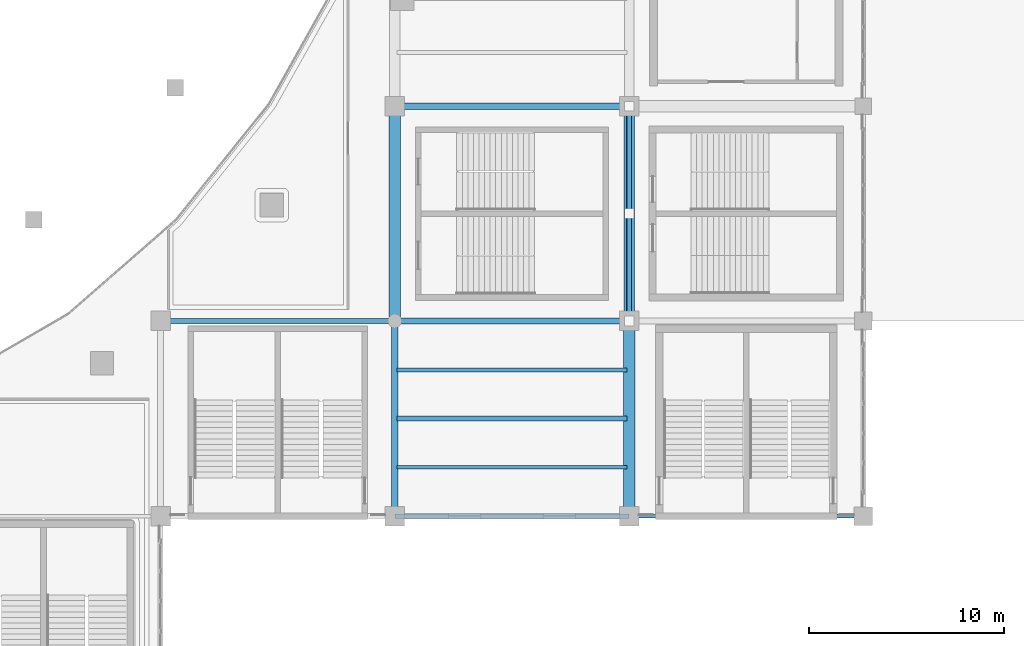
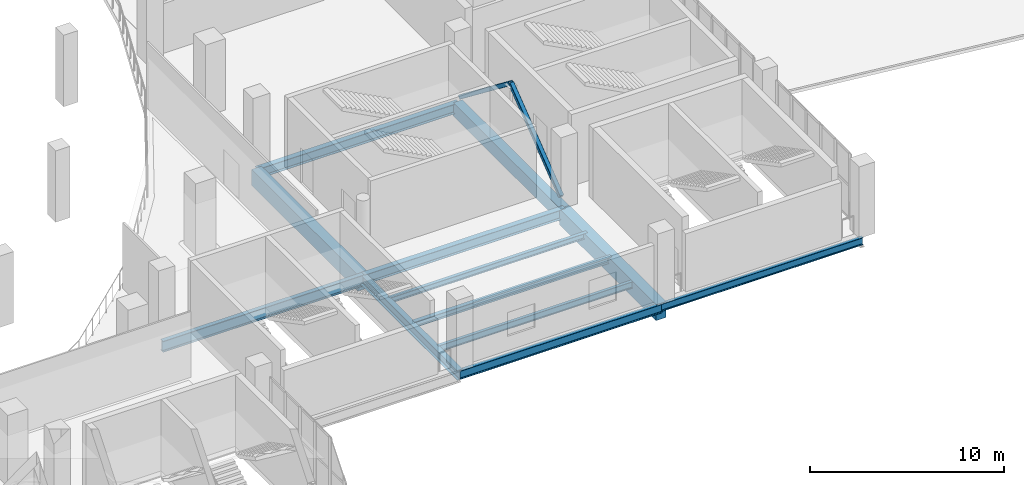
# One storey, part 48 of 108: 12 beams, 2 members.
"""IFC4 building model written with IfcOpenShell, lengths in metres."""

from ifc_helpers import new_model, si_unit, direction, frame, origin, origin_2d, place, context, subcontext, project, spatial, rectangle, hollow_rectangle, i_section, extrude, material, material_profile, profile_set, type_object, element, save


model = new_model("IFC4")

# Units and contexts
model_context = context("Model", 3, precision=1e-05, world=origin(), true_north=direction((0.0, 1.0)))
body_context = subcontext(model_context, "Body", "Model", "MODEL_VIEW")
ifc_project = project(units=[si_unit("LENGTHUNIT", "METRE"), si_unit("AREAUNIT", "SQUARE_METRE"), si_unit("VOLUMEUNIT", "CUBIC_METRE"), si_unit("PLANEANGLEUNIT", "RADIAN"), si_unit("MASSUNIT", "GRAM", prefix="KILO")], contexts=[model_context])

# Site, building, storey
site_placement = place(None, origin())
site = spatial("IfcSite", under=ifc_project, at=site_placement, CompositionType="ELEMENT")
building_placement = place(site_placement, origin())
building = spatial("IfcBuilding", under=site, at=building_placement, Name="Brinegate Civic Arena", CompositionType="ELEMENT")
storey_placement = place(building_placement, frame((0.0, 0.0, 10.199951171875)))
storey = spatial("IfcBuildingStorey", under=building, at=storey_placement, Name="L02", CompositionType="ELEMENT", Elevation=10.199951171875)

# Beams
ifc_material_1 = material(Name="Steel S355", Category="steel")
ifc_material_profile_1 = material_profile(ifc_material_1, i_section(OverallWidth=0.323974609375, OverallDepth=0.611083984375, WebThickness=0.012939453125, FlangeThickness=0.01904296875, FilletRadius=0.01611328125, at=origin_2d()), Name="W610X155")
ifc_profile_set_1 = profile_set([ifc_material_profile_1], Name="Steel S355")
beam_type_1 = type_object("IfcBeamType", Name="GIRDER-W610X155", PredefinedType="BEAM", material=ifc_profile_set_1)
beam_1_placement = place(storey_placement, frame((144.0, 20.0, -0.635009765625), z_axis=(1.0, 0.0, 0.0), x_axis=(0.0, 1.0, 0.0)))
element("IfcBeam", 1, at=beam_1_placement, inside=storey, type_object=beam_type_1, Name="Floor Girder BM-L02-GX-12-02", PredefinedType="BEAM", context=body_context, shape_type="SweptSolid", body=[
    extrude(i_section(OverallWidth=0.323974609375, OverallDepth=0.611083984375, WebThickness=0.012939453125, FlangeThickness=0.01904296875, FilletRadius=0.01611328125, at=origin_2d()), origin(), (0.0, 0.0, 1.0), 12.0),
])
ifc_material_profile_2 = material_profile(ifc_material_1, i_section(OverallWidth=0.324951171875, OverallDepth=0.615966796875, WebThickness=0.013916015625, FlangeThickness=0.02197265625, FilletRadius=0.01611328125, at=origin_2d()), Name="W610X174")
ifc_profile_set_2 = profile_set([ifc_material_profile_2], Name="Steel S355")
beam_type_2 = type_object("IfcBeamType", Name="GIRDER-W610X174", PredefinedType="BEAM", material=ifc_profile_set_2)
beam_2_placement = place(storey_placement, frame((144.0, 31.0, -0.637939453125), z_axis=(1.0, 0.0, 0.0), x_axis=(0.0, 1.0, 0.0)))
element("IfcBeam", 2, at=beam_2_placement, inside=storey, type_object=beam_type_2, Name="Floor Girder BM-L02-GX-12-03", PredefinedType="BEAM", context=body_context, shape_type="SweptSolid", body=[
    extrude(i_section(OverallWidth=0.324951171875, OverallDepth=0.615966796875, WebThickness=0.013916015625, FlangeThickness=0.02197265625, FilletRadius=0.01611328125, at=origin_2d()), origin(), (0.0, 0.0, 1.0), 12.0),
])
beam_3_placement = place(storey_placement, frame((144.0, 10.0, -0.637939453125), z_axis=(0.0, 1.0, 0.0), x_axis=(-1.0, 0.0, 0.0)))
element("IfcBeam", 3, at=beam_3_placement, inside=storey, type_object=beam_type_2, Name="Floor Girder BM-L02-GY-12-01", PredefinedType="BEAM", context=body_context, shape_type="SweptSolid", body=[
    extrude(i_section(OverallWidth=0.324951171875, OverallDepth=0.615966796875, WebThickness=0.013916015625, FlangeThickness=0.02197265625, FilletRadius=0.01611328125, at=origin_2d()), origin(), (0.0, 0.0, 1.0), 10.0),
])
ifc_material_profile_3 = material_profile(ifc_material_1, i_section(OverallWidth=0.256103515625, OverallDepth=0.693115234375, WebThickness=0.014892578125, FlangeThickness=0.02392578125, FilletRadius=0.01806640625, at=origin_2d()), Name="W690X170")
ifc_profile_set_3 = profile_set([ifc_material_profile_3], Name="Steel S355")
beam_type_3 = type_object("IfcBeamType", Name="GIRDER-W690X170", PredefinedType="BEAM", material=ifc_profile_set_3)
beam_4_placement = place(storey_placement, frame((132.0, 20.0, -0.676025390625), z_axis=(1.0, 0.0, 0.0), x_axis=(0.0, 1.0, 0.0)))
element("IfcBeam", 4, at=beam_4_placement, inside=storey, type_object=beam_type_3, Name="Floor Girder BM-L02-GX-11-02", PredefinedType="BEAM", context=body_context, shape_type="SweptSolid", body=[
    extrude(i_section(OverallWidth=0.256103515625, OverallDepth=0.693115234375, WebThickness=0.014892578125, FlangeThickness=0.02392578125, FilletRadius=0.01806640625, at=origin_2d()), origin(), (0.0, 0.0, 1.0), 12.0),
])
ifc_material_profile_4 = material_profile(ifc_material_1, i_section(OverallWidth=0.205078125, OverallDepth=0.35400390625, WebThickness=0.009033203125, FlangeThickness=0.01708984375, FilletRadius=0.013916015625, at=origin_2d()), Name="W360X79")
ifc_profile_set_4 = profile_set([ifc_material_profile_4], Name="Steel S355")
beam_type_4 = type_object("IfcBeamType", Name="JOIST-W360X79", PredefinedType="JOIST", material=ifc_profile_set_4)
beam_5_placement = place(storey_placement, frame((144.10595703125, 17.5, -0.5068359375), z_axis=(1.0, 0.0, 0.0), x_axis=(0.0, 1.0, 0.0)))
element("IfcBeam", 5, at=beam_5_placement, inside=storey, type_object=beam_type_4, Name="Secondary Joist BM-L02-JX-12-01-3", PredefinedType="JOIST", context=body_context, shape_type="SweptSolid", body=[
    extrude(i_section(OverallWidth=0.205078125, OverallDepth=0.35400390625, WebThickness=0.009033203125, FlangeThickness=0.01708984375, FilletRadius=0.013916015625, at=origin_2d()), origin(), (0.0, 0.0, 1.0), 11.7880859375),
])
ifc_material_profile_5 = material_profile(ifc_material_1, i_section(OverallWidth=0.25390625, OverallDepth=0.35302734375, WebThickness=0.010009765625, FlangeThickness=0.01611328125, FilletRadius=0.013916015625, at=origin_2d()), Name="W360X91")
ifc_profile_set_5 = profile_set([ifc_material_profile_5], Name="Steel S355")
beam_type_5 = type_object("IfcBeamType", Name="JOIST-W360X91", PredefinedType="JOIST", material=ifc_profile_set_5)
beam_6_placement = place(storey_placement, frame((144.10595703125, 15.0, -0.505859375), z_axis=(1.0, 0.0, 0.0), x_axis=(0.0, 1.0, 0.0)))
element("IfcBeam", 6, at=beam_6_placement, inside=storey, type_object=beam_type_5, Name="Secondary Joist BM-L02-JX-12-01-2", PredefinedType="JOIST", context=body_context, shape_type="SweptSolid", body=[
    extrude(i_section(OverallWidth=0.25390625, OverallDepth=0.35302734375, WebThickness=0.010009765625, FlangeThickness=0.01611328125, FilletRadius=0.013916015625, at=origin_2d()), origin(), (0.0, 0.0, 1.0), 11.7880859375),
])
ifc_material_profile_6 = material_profile(ifc_material_1, i_section(OverallWidth=0.178955078125, OverallDepth=0.409912109375, WebThickness=0.009033203125, FlangeThickness=0.013916015625, FilletRadius=0.013916015625, at=origin_2d()), Name="W410X67")
ifc_profile_set_6 = profile_set([ifc_material_profile_6], Name="Steel S355")
beam_type_6 = type_object("IfcBeamType", Name="JOIST-W410X67", PredefinedType="JOIST", material=ifc_profile_set_6)
beam_7_placement = place(storey_placement, frame((144.10595703125, 12.5, -0.534912109375), z_axis=(1.0, 0.0, 0.0), x_axis=(0.0, 1.0, 0.0)))
element("IfcBeam", 7, at=beam_7_placement, inside=storey, type_object=beam_type_6, Name="Secondary Joist BM-L02-JX-12-01-1", PredefinedType="JOIST", context=body_context, shape_type="SweptSolid", body=[
    extrude(i_section(OverallWidth=0.178955078125, OverallDepth=0.409912109375, WebThickness=0.009033203125, FlangeThickness=0.013916015625, FilletRadius=0.013916015625, at=origin_2d()), origin(), (0.0, 0.0, 1.0), 11.7880859375),
])
ifc_material_2 = material(Name="Concrete C50/60", Category="concrete")
ifc_material_profile_7 = material_profile(ifc_material_2, rectangle(XDim=0.550048828125, YDim=0.85009765625, at=origin_2d()), Name="RCB550X850")
ifc_profile_set_7 = profile_set([ifc_material_profile_7], Name="Concrete C50/60")
beam_type_7 = type_object("IfcBeamType", Name="RCG-550X850", PredefinedType="BEAM", material=ifc_profile_set_7)
beam_8_placement = place(storey_placement, frame((156.0, 20.0, -0.7548828125), z_axis=(0.0, 1.0, 0.0), x_axis=(-1.0, 0.0, 0.0)))
element("IfcBeam", 8, at=beam_8_placement, inside=storey, type_object=beam_type_7, Name="Floor Girder BM-L02-GY-13-02", PredefinedType="BEAM", context=body_context, shape_type="SweptSolid", body=[
    extrude(rectangle(XDim=0.550048828125, YDim=0.85009765625, at=origin_2d()), origin(), (0.0, 0.0, 1.0), 11.0),
])
ifc_material_profile_8 = material_profile(ifc_material_2, rectangle(XDim=0.60009765625, YDim=1.0, at=origin_2d()), Name="RCB600X1000")
ifc_profile_set_8 = profile_set([ifc_material_profile_8], Name="Concrete C50/60")
beam_type_8 = type_object("IfcBeamType", Name="RCG-600X1000", PredefinedType="BEAM", material=ifc_profile_set_8)
beam_9_placement = place(storey_placement, frame((144.0, 20.0, -0.829833984375), z_axis=(0.0, 1.0, 0.0), x_axis=(-1.0, 0.0, 0.0)))
element("IfcBeam", 9, at=beam_9_placement, inside=storey, type_object=beam_type_8, Name="Floor Girder BM-L02-GY-12-02", PredefinedType="BEAM", context=body_context, shape_type="SweptSolid", body=[
    extrude(rectangle(XDim=0.60009765625, YDim=1.0, at=origin_2d()), origin(), (0.0, 0.0, 1.0), 11.0),
])
beam_10_placement = place(storey_placement, frame((156.0, 10.0, -0.829833984375), z_axis=(0.0, 1.0, 0.0), x_axis=(-1.0, 0.0, 0.0)))
element("IfcBeam", 10, at=beam_10_placement, inside=storey, type_object=beam_type_8, Name="Floor Girder BM-L02-GY-13-01", PredefinedType="BEAM", context=body_context, shape_type="SweptSolid", body=[
    extrude(rectangle(XDim=0.60009765625, YDim=1.0, at=origin_2d()), origin(), (0.0, 0.0, 1.0), 10.0),
])

# Members
ifc_material_profile_9 = material_profile(ifc_material_1, hollow_rectangle(XDim=0.25, YDim=0.25, WallThickness=0.011962890625, InnerFilletRadius=0.011962890625, OuterFilletRadius=0.02392578125, at=origin_2d()), Name="SHS250X12")
ifc_profile_set_9 = profile_set([ifc_material_profile_9], Name="Steel S355")
member_type = type_object("IfcMemberType", Name="SF-BRACE-SHS250", PredefinedType="BRACE", material=ifc_profile_set_9)
for number, where, z_axis, x_axis, name in (
    (11, (156.0, 20.320068359375, 0.150146484375), (0.0, 0.791482676976, 0.611191600112), (-1.0, 0.0, 0.0), "Lateral Chevron Brace 09-A"),
    (12, (156.0, 30.679931640625, 0.150146484375), (0.0, -0.791482676976, 0.611191600112), (1.0, 0.0, 0.0), "Lateral Chevron Brace 09-B"),
):
    element("IfcMember", number, at=place(storey_placement, frame(where, z_axis=z_axis, x_axis=x_axis)), inside=storey, type_object=member_type, Name=name, PredefinedType="BRACE", context=body_context, shape_type="SweptSolid", body=[
        extrude(hollow_rectangle(XDim=0.25, YDim=0.25, WallThickness=0.011962890625, InnerFilletRadius=0.011962890625, OuterFilletRadius=0.02392578125, at=origin_2d()), origin(), (0.0, 0.0, 1.0), 6.544677734375),
    ])

# Beams
ifc_material_profile_10 = material_profile(ifc_material_1, i_section(OverallWidth=0.193115234375, OverallDepth=0.466064453125, WebThickness=0.010986328125, FlangeThickness=0.01904296875, FilletRadius=0.014892578125, at=origin_2d()), Name="W460X97")
ifc_profile_set_10 = profile_set([ifc_material_profile_10], Name="Steel S355")
beam_type_9 = type_object("IfcBeamType", Name="SPANDREL-W460X97", PredefinedType="SPANDREL", material=ifc_profile_set_10)
beam_11_placement = place(storey_placement, frame((156.0, 10.0, -0.56298828125), z_axis=(1.0, 0.0, 0.0), x_axis=(0.0, 1.0, 0.0)))
element("IfcBeam", 13, at=beam_11_placement, inside=storey, type_object=beam_type_9, Name="Floor Girder BM-L02-GX-13-01", PredefinedType="SPANDREL", context=body_context, shape_type="SweptSolid", body=[
    extrude(i_section(OverallWidth=0.193115234375, OverallDepth=0.466064453125, WebThickness=0.010986328125, FlangeThickness=0.01904296875, FilletRadius=0.014892578125, at=origin_2d()), origin(), (0.0, 0.0, 1.0), 12.0),
])
ifc_material_profile_11 = material_profile(ifc_material_1, i_section(OverallWidth=0.2119140625, OverallDepth=0.5439453125, WebThickness=0.012939453125, FlangeThickness=0.02099609375, FilletRadius=0.01611328125, at=origin_2d()), Name="W530X123")
ifc_profile_set_11 = profile_set([ifc_material_profile_11], Name="Steel S355")
beam_type_10 = type_object("IfcBeamType", Name="SPANDREL-W530X123", PredefinedType="SPANDREL", material=ifc_profile_set_11)
beam_12_placement = place(storey_placement, frame((144.0, 10.0, -0.60205078125), z_axis=(1.0, 0.0, 0.0), x_axis=(0.0, 1.0, 0.0)))
element("IfcBeam", 14, at=beam_12_placement, inside=storey, type_object=beam_type_10, Name="Floor Girder BM-L02-GX-12-01", PredefinedType="SPANDREL", context=body_context, shape_type="SweptSolid", body=[
    extrude(i_section(OverallWidth=0.2119140625, OverallDepth=0.5439453125, WebThickness=0.012939453125, FlangeThickness=0.02099609375, FilletRadius=0.01611328125, at=origin_2d()), origin(), (0.0, 0.0, 1.0), 12.0),
])

save(model, "model.ifc")
